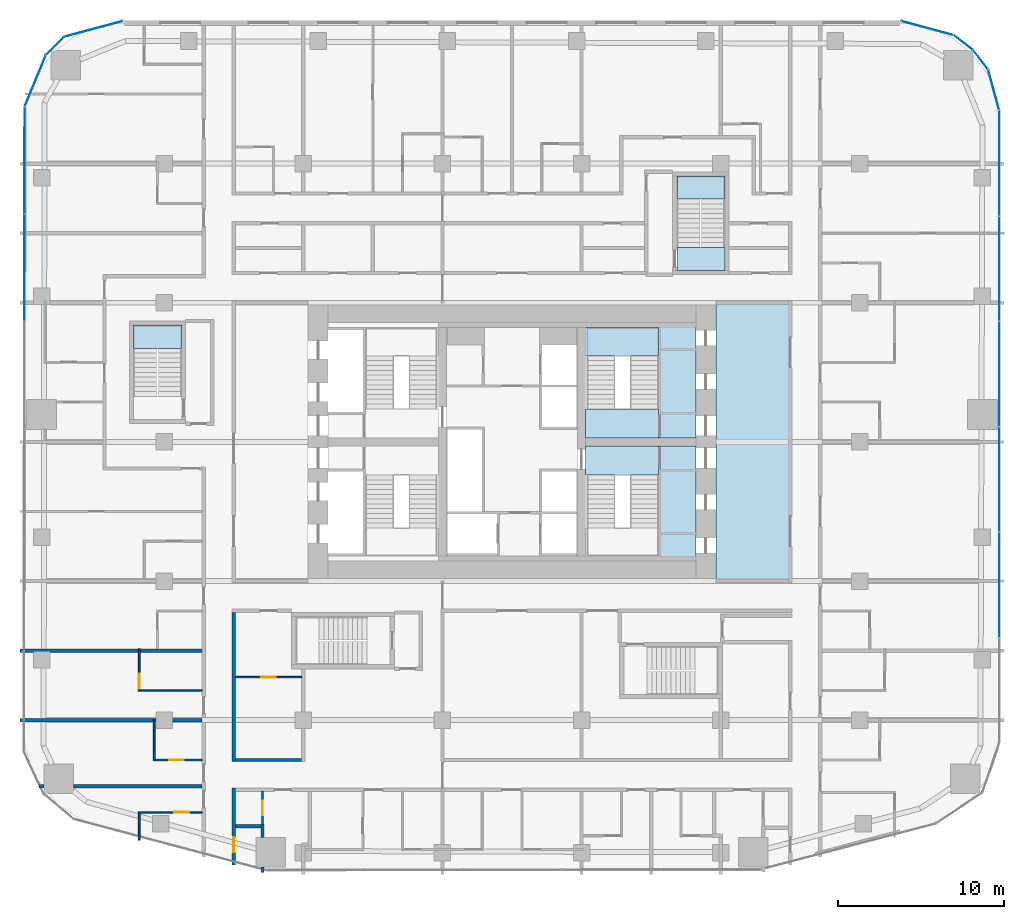
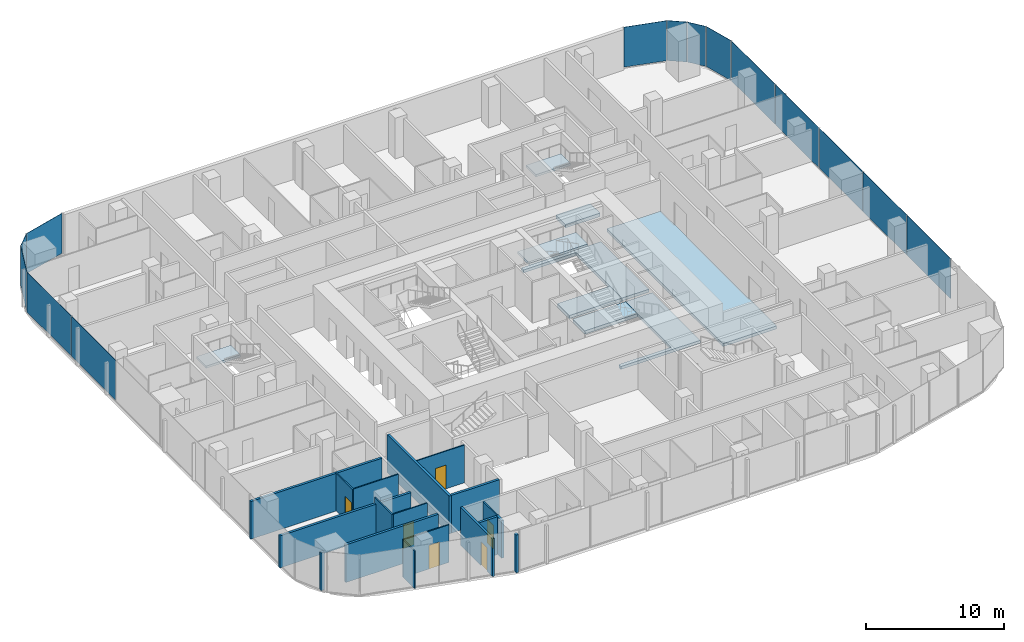
# One storey, part 15 of 26: 18 walls, 14 plates, 9 slabs, 6 doors, 6 openings, 12 elements without a shape of their own.
"""IFC4 building model written with IfcOpenShell, lengths in metres."""

from ifc_helpers import new_model, si_unit, direction, frame, frame_2d, origin, origin_2d, place, context, subcontext, project, spatial, polyline, rectangle, outline, extrude, material, layer, layer_set, type_object, element, fill, aggregate, save


model = new_model("IFC4")

# Units and contexts
model_context = context("Model", 3, precision=1e-05, world=origin(), true_north=direction((0.0, 1.0)))
body_context = subcontext(model_context, "Body", "Model", "MODEL_VIEW")
ifc_project = project(units=[si_unit("LENGTHUNIT", "METRE"), si_unit("AREAUNIT", "SQUARE_METRE"), si_unit("VOLUMEUNIT", "CUBIC_METRE"), si_unit("PLANEANGLEUNIT", "RADIAN"), si_unit("MASSUNIT", "GRAM", prefix="KILO")], contexts=[model_context])

# Site, building, storey
site_placement = place(None, origin())
site = spatial("IfcSite", under=ifc_project, at=site_placement, CompositionType="ELEMENT")
building_placement = place(site_placement, origin())
building = spatial("IfcBuilding", under=site, at=building_placement, Name="Marenta Gate Hotel Tower", CompositionType="ELEMENT")
storey_placement = place(building_placement, frame((0.0, 0.0, 72.5)))
storey = spatial("IfcBuildingStorey", under=building, at=storey_placement, Name="L16", CompositionType="ELEMENT", Elevation=72.5)

# Slabs
ifc_material_1 = material(Name="Concrete C40", Category="concrete")
ifc_layer_1 = layer(ifc_material_1, 0.260009765625)
ifc_layer_set_1 = layer_set([ifc_layer_1], Name="Concrete C40")
slab_type_1 = type_object("IfcSlabType", Name="Core floor slab 260", PredefinedType="FLOOR", material=ifc_layer_set_1)
slab_1_placement = place(storey_placement, frame((0.0, 0.0, -0.260009765625)))
element("IfcSlab", 1, at=slab_1_placement, inside=storey, type_object=slab_type_1, Name="L16-CF-1", PredefinedType="FLOOR", context=body_context, shape_type="SweptSolid", body=[
    extrude(outline(polyline([(12.300048828125, 0.0), (12.300048828125, 16.800048828125), (16.800048828125, 16.800048828125), (16.800048828125, 0.0), (12.300048828125, 0.0)])), origin(), (0.0, 0.0, 1.0), 0.260009765625),
])
slab_2_placement = place(storey_placement, frame((0.0, 0.0, -0.260009765625)))
element("IfcSlab", 2, at=slab_2_placement, inside=storey, type_object=slab_type_1, Name="L16-CF-2", PredefinedType="FLOOR", context=body_context, shape_type="SweptSolid", body=[
    extrude(outline(polyline([(8.85009765625, 1.5), (8.85009765625, 6.39990234375), (8.85009765625, 8.10009765625), (8.85009765625, 8.14990234375), (11.10009765625, 8.14990234375), (11.10009765625, 1.199951171875), (4.449951171875, 1.199951171875), (4.449951171875, 1.5), (8.85009765625, 1.5)])), origin(), (0.0, 0.0, 1.0), 0.260009765625),
])
slab_3_placement = place(storey_placement, frame((0.0, 0.0, -0.260009765625)))
element("IfcSlab", 3, at=slab_3_placement, inside=storey, type_object=slab_type_1, Name="L16-CF-3", PredefinedType="FLOOR", context=body_context, shape_type="SweptSolid", body=[
    extrude(outline(polyline([(8.85009765625, 15.300048828125), (4.449951171875, 15.300048828125), (4.449951171875, 15.60009765625), (11.10009765625, 15.60009765625), (11.10009765625, 8.64990234375), (8.85009765625, 8.64990234375), (8.85009765625, 8.699951171875), (8.85009765625, 10.39990234375), (8.85009765625, 15.300048828125)])), origin(), (0.0, 0.0, 1.0), 0.260009765625),
])

# Stair, slab
ifc_material_2 = material(Name="Concrete C40", Category="concrete")
stair_type_1 = type_object("IfcStairType", Name="Core exit stair 1700 wide", PredefinedType="HALF_TURN_STAIR", material=ifc_material_2)
stair_1_placement = place(storey_placement, origin())
stair_1 = element("IfcStair", 4, at=stair_1_placement, inside=storey, type_object=stair_type_1, Name="Exit stair 4", PredefinedType="HALF_TURN_STAIR")
ifc_material_3 = material(Name="Concrete C40", Category="concrete")
ifc_layer_2 = layer(ifc_material_3, 0.199951171875)
ifc_layer_set_2 = layer_set([ifc_layer_2], Name="Concrete C40")
slab_type_2 = type_object("IfcSlabType", Name="Core stair landing 200", PredefinedType="LANDING", material=ifc_layer_set_2)
slab_4_placement = place(storey_placement, frame((0.0, 0.0, 1.60009765625)))
slab_4 = element("IfcSlab", 5, at=slab_4_placement, type_object=slab_type_2, Name="SL-200 ST4 landing 1", PredefinedType="LANDING", context=body_context, shape_type="SweptSolid", body=[
    extrude(outline(polyline([(3.949951171875, 13.590087890625), (8.85009765625, 13.590087890625), (8.85009765625, 15.300048828125), (3.949951171875, 15.300048828125), (3.949951171875, 13.590087890625)])), origin(), (0.0, 0.0, 1.0), 0.199951171875),
])
aggregate(stair_1, [slab_4])

# Curtain wall, plate
ifc_material_4 = material(Name="Tinted insulated glass in bronze anodised frame", Category="glass")
ifc_layer_3 = layer(ifc_material_4, 0.1201171875)
ifc_layer_set_3 = layer_set([ifc_layer_3], Name="Tinted insulated glass in bronze anodised frame")
curtain_wall_type = type_object("IfcCurtainWallType", Name="Tower unitised curtain wall CW1", PredefinedType="NOTDEFINED", material=ifc_layer_set_3)
curtain_wall_1_placement = place(storey_placement, origin())
curtain_wall_1 = element("IfcCurtainWall", 6, at=curtain_wall_1_placement, inside=storey, type_object=curtain_wall_type, Name="CW1 run G00", PredefinedType="NOTDEFINED")
ifc_material_5 = material(Name="Tinted insulated glass", Category="glass")
ifc_layer_4 = layer(ifc_material_5, 0.028076171875)
ifc_layer_set_4 = layer_set([ifc_layer_4], Name="Tinted insulated glass")
plate_type = type_object("IfcPlateType", Name="Glass panel CW1 28 mm tinted insulated unit", PredefinedType="CURTAIN_PANEL", material=ifc_layer_set_4)
plate_1_placement = place(storey_placement, frame((-25.277099609375, 33.3232421875, 0.06005859375), z_axis=(0.0, 0.0, 1.0), x_axis=(-0.965930485164, -0.258801657317, 0.0)))
plate_1 = element("IfcPlate", 7, at=plate_1_placement, type_object=plate_type, Name="CW1 panel 1.1", PredefinedType="CURTAIN_PANEL", context=body_context, shape_type="SweptSolid", body=[
    extrude(rectangle(XDim=3.64990234375, YDim=0.028076171875, at=origin_2d()), origin(), (0.0, 0.0, 1.0), 3.5400390625),
])
aggregate(curtain_wall_1, [plate_1])

curtain_wall_2_placement = place(storey_placement, origin())
curtain_wall_2 = element("IfcCurtainWall", 8, at=curtain_wall_2_placement, inside=storey, type_object=curtain_wall_type, Name="CW1 run G01", PredefinedType="NOTDEFINED")
plate_2_placement = place(storey_placement, frame((-27.606689453125, 32.2841796875, 0.06005859375), z_axis=(0.0, 0.0, 1.0), x_axis=(-0.707106781187, -0.707106781187, 0.0)))
plate_2 = element("IfcPlate", 9, at=plate_2_placement, type_object=plate_type, Name="CW1 panel 1.1", PredefinedType="CURTAIN_PANEL", context=body_context, shape_type="SweptSolid", body=[
    extrude(rectangle(XDim=1.48291015625, YDim=0.028076171875, at=origin_2d()), origin(), (0.0, 0.0, 1.0), 3.5400390625),
])
aggregate(curtain_wall_2, [plate_2])

curtain_wall_3_placement = place(storey_placement, origin())
curtain_wall_3 = element("IfcCurtainWall", 10, at=curtain_wall_3_placement, inside=storey, type_object=curtain_wall_type, Name="CW1 run G02", PredefinedType="NOTDEFINED")
plate_3_placement = place(storey_placement, frame((-28.783203125, 30.185302734375, 0.06005859375), z_axis=(0.0, 0.0, 1.0), x_axis=(-0.382670050581, -0.923885075314, 0.0)))
plate_3 = element("IfcPlate", 11, at=plate_3_placement, type_object=plate_type, Name="CW1 panel 1.1", PredefinedType="CURTAIN_PANEL", context=body_context, shape_type="SweptSolid", body=[
    extrude(rectangle(XDim=3.28857421875, YDim=0.028076171875, at=origin_2d()), origin(), (0.0, 0.0, 1.0), 3.5400390625),
])
aggregate(curtain_wall_3, [plate_3])

# Curtain wall, plates
curtain_wall_4_placement = place(storey_placement, origin())
curtain_wall_4 = element("IfcCurtainWall", 12, at=curtain_wall_4_placement, inside=storey, type_object=curtain_wall_type, Name="CW1 run G03", PredefinedType="NOTDEFINED")
plate_4_placement = place(storey_placement, frame((-29.41748046875, 25.406005859375, 0.06005859375), z_axis=(0.0, 0.0, 1.0), x_axis=(-0.00156642217, -0.99999877316, 0.0)))
plate_4 = element("IfcPlate", 13, at=plate_4_placement, type_object=plate_type, Name="CW1 panel 1.1", PredefinedType="CURTAIN_PANEL", context=body_context, shape_type="SweptSolid", body=[
    extrude(rectangle(XDim=6.400390625, YDim=0.028076171875, at=origin_2d()), origin(), (0.0, 0.0, 1.0), 3.5400390625),
])
plate_5_placement = place(storey_placement, frame((-29.427490234375, 18.9306640625, 0.06005859375), z_axis=(0.0, 0.0, 1.0), x_axis=(-0.00156642217, -0.99999877316, 0.0)))
plate_5 = element("IfcPlate", 14, at=plate_5_placement, type_object=plate_type, Name="CW1 panel 2.1", PredefinedType="CURTAIN_PANEL", context=body_context, shape_type="SweptSolid", body=[
    extrude(rectangle(XDim=6.430419921875, YDim=0.028076171875, at=origin_2d()), origin(), (0.0, 0.0, 1.0), 3.5400390625),
])
aggregate(curtain_wall_4, [plate_4, plate_5])

curtain_wall_5_placement = place(storey_placement, origin())
curtain_wall_5 = element("IfcCurtainWall", 15, at=curtain_wall_5_placement, inside=storey, type_object=curtain_wall_type, Name="CW1 run G11", PredefinedType="NOTDEFINED")
plate_6_placement = place(storey_placement, frame((29.4140625, -0.22802734375, 0.06005859375), z_axis=(0.0, 0.0, 1.0), x_axis=(0.0, 1.0, 0.0)))
plate_6 = element("IfcPlate", 16, at=plate_6_placement, type_object=plate_type, Name="CW1 panel 2.1", PredefinedType="CURTAIN_PANEL", context=body_context, shape_type="SweptSolid", body=[
    extrude(rectangle(XDim=6.300048828125, YDim=0.028076171875, at=origin_2d()), origin(), (0.0, 0.0, 1.0), 3.5400390625),
])
plate_7_placement = place(storey_placement, frame((29.4140625, 6.132080078125, 0.06005859375), z_axis=(0.0, 0.0, 1.0), x_axis=(0.0, 1.0, 0.0)))
plate_7 = element("IfcPlate", 17, at=plate_7_placement, type_object=plate_type, Name="CW1 panel 3.1", PredefinedType="CURTAIN_PANEL", context=body_context, shape_type="SweptSolid", body=[
    extrude(rectangle(XDim=6.300048828125, YDim=0.028076171875, at=origin_2d()), origin(), (0.0, 0.0, 1.0), 3.5400390625),
])
plate_8_placement = place(storey_placement, frame((29.4140625, 12.491943359375, 0.06005859375), z_axis=(0.0, 0.0, 1.0), x_axis=(0.0, 1.0, 0.0)))
plate_8 = element("IfcPlate", 18, at=plate_8_placement, type_object=plate_type, Name="CW1 panel 4.1", PredefinedType="CURTAIN_PANEL", context=body_context, shape_type="SweptSolid", body=[
    extrude(rectangle(XDim=6.300048828125, YDim=0.028076171875, at=origin_2d()), origin(), (0.0, 0.0, 1.0), 3.5400390625),
])
plate_9_placement = place(storey_placement, frame((29.4140625, 18.851806640625, 0.06005859375), z_axis=(0.0, 0.0, 1.0), x_axis=(0.0, 1.0, 0.0)))
plate_9 = element("IfcPlate", 19, at=plate_9_placement, type_object=plate_type, Name="CW1 panel 5.1", PredefinedType="CURTAIN_PANEL", context=body_context, shape_type="SweptSolid", body=[
    extrude(rectangle(XDim=6.300048828125, YDim=0.028076171875, at=origin_2d()), origin(), (0.0, 0.0, 1.0), 3.5400390625),
])
plate_10_placement = place(storey_placement, frame((29.4140625, 25.226806640625, 0.06005859375), z_axis=(0.0, 0.0, 1.0), x_axis=(0.0, 1.0, 0.0)))
plate_10 = element("IfcPlate", 20, at=plate_10_placement, type_object=plate_type, Name="CW1 panel 6.1", PredefinedType="CURTAIN_PANEL", context=body_context, shape_type="SweptSolid", body=[
    extrude(rectangle(XDim=6.330078125, YDim=0.028076171875, at=origin_2d()), origin(), (0.0, 0.0, 1.0), 3.5400390625),
])
aggregate(curtain_wall_5, [plate_6, plate_7, plate_8, plate_9, plate_10])

# Curtain wall, plate
curtain_wall_6_placement = place(storey_placement, origin())
curtain_wall_6 = element("IfcCurtainWall", 21, at=curtain_wall_6_placement, inside=storey, type_object=curtain_wall_type, Name="CW1 run G12", PredefinedType="NOTDEFINED")
plate_11_placement = place(storey_placement, frame((29.074951171875, 29.657470703125, 0.06005859375), z_axis=(0.0, 0.0, 1.0), x_axis=(-0.258821981125, 0.965925039579, 0.0)))
plate_11 = element("IfcPlate", 22, at=plate_11_placement, type_object=plate_type, Name="CW1 panel 1.1", PredefinedType="CURTAIN_PANEL", context=body_context, shape_type="SweptSolid", body=[
    extrude(rectangle(XDim=2.50048828125, YDim=0.028076171875, at=origin_2d()), origin(), (0.0, 0.0, 1.0), 3.5400390625),
])
aggregate(curtain_wall_6, [plate_11])

curtain_wall_7_placement = place(storey_placement, origin())
curtain_wall_7 = element("IfcCurtainWall", 23, at=curtain_wall_7_placement, inside=storey, type_object=curtain_wall_type, Name="CW1 run G13", PredefinedType="NOTDEFINED")
plate_12_placement = place(storey_placement, frame((28.280029296875, 31.47900390625, 0.06005859375), z_axis=(0.0, 0.0, 1.0), x_axis=(-0.608781405318, 0.79333801153, 0.0)))
plate_12 = element("IfcPlate", 24, at=plate_12_placement, type_object=plate_type, Name="CW1 panel 1.1", PredefinedType="CURTAIN_PANEL", context=body_context, shape_type="SweptSolid", body=[
    extrude(rectangle(XDim=1.427978515625, YDim=0.028076171875, at=origin_2d()), origin(), (0.0, 0.0, 1.0), 3.5400390625),
])
aggregate(curtain_wall_7, [plate_12])

curtain_wall_8_placement = place(storey_placement, origin())
curtain_wall_8 = element("IfcCurtainWall", 25, at=curtain_wall_8_placement, inside=storey, type_object=curtain_wall_type, Name="CW1 run G14", PredefinedType="NOTDEFINED")
plate_13_placement = place(storey_placement, frame((27.2314453125, 32.5166015625, 0.06005859375), z_axis=(0.0, 0.0, 1.0), x_axis=(-0.79333801153, 0.608781405318, 0.0)))
plate_13 = element("IfcPlate", 26, at=plate_13_placement, type_object=plate_type, Name="CW1 panel 1.1", PredefinedType="CURTAIN_PANEL", context=body_context, shape_type="SweptSolid", body=[
    extrude(rectangle(XDim=1.427978515625, YDim=0.028076171875, at=origin_2d()), origin(), (0.0, 0.0, 1.0), 3.5400390625),
])
aggregate(curtain_wall_8, [plate_13])

curtain_wall_9_placement = place(storey_placement, origin())
curtain_wall_9 = element("IfcCurtainWall", 27, at=curtain_wall_9_placement, inside=storey, type_object=curtain_wall_type, Name="CW1 run G15", PredefinedType="NOTDEFINED")
plate_14_placement = place(storey_placement, frame((25.060791015625, 33.381103515625, 0.06005859375), z_axis=(0.0, 0.0, 1.0), x_axis=(-0.965928970532, 0.258807310344, 0.0)))
plate_14 = element("IfcPlate", 28, at=plate_14_placement, type_object=plate_type, Name="CW1 panel 1.1", PredefinedType="CURTAIN_PANEL", context=body_context, shape_type="SweptSolid", body=[
    extrude(rectangle(XDim=3.20166015625, YDim=0.028076171875, at=origin_2d()), origin(), (0.0, 0.0, 1.0), 3.5400390625),
])
aggregate(curtain_wall_9, [plate_14])

# Stair, slab
ifc_material_6 = material(Name="Concrete C40", Category="concrete")
stair_type_2 = type_object("IfcStairType", Name="Remote exit stair 1400 wide", PredefinedType="HALF_TURN_STAIR", material=ifc_material_6)
stair_2_placement = place(storey_placement, origin())
stair_2 = element("IfcStair", 29, at=stair_2_placement, inside=storey, type_object=stair_type_2, Name="Exit stair RS-Z1-3", PredefinedType="HALF_TURN_STAIR")
ifc_material_7 = material(Name="Concrete C40", Category="concrete")
ifc_layer_5 = layer(ifc_material_7, 0.199951171875)
ifc_layer_set_5 = layer_set([ifc_layer_5], Name="Concrete C40")
slab_type_3 = type_object("IfcSlabType", Name="Remote stair landing 200", PredefinedType="LANDING", material=ifc_layer_set_5)
slab_5_placement = place(storey_placement, frame((0.0, 0.0, 1.60009765625)))
slab_5 = element("IfcSlab", 30, at=slab_5_placement, type_object=slab_type_3, Name="RL-200 RS-Z1-3 landing 1", PredefinedType="LANDING", context=body_context, shape_type="SweptSolid", body=[
    extrude(outline(polyline([(-22.85009765625, 14.050048828125), (-19.949951171875, 14.050048828125), (-19.949951171875, 15.449951171875), (-22.85009765625, 15.449951171875), (-22.85009765625, 14.050048828125)])), origin(), (0.0, 0.0, 1.0), 0.199951171875),
])
aggregate(stair_2, [slab_5])

stair_3_placement = place(storey_placement, origin())
stair_3 = element("IfcStair", 31, at=stair_3_placement, inside=storey, type_object=stair_type_2, Name="Exit stair RS-Z1-4", PredefinedType="HALF_TURN_STAIR")
slab_6_placement = place(storey_placement, frame((0.0, 0.0, 1.60009765625)))
slab_6 = element("IfcSlab", 32, at=slab_6_placement, type_object=slab_type_3, Name="RL-200 RS-Z1-4 landing 1", PredefinedType="LANDING", context=body_context, shape_type="SweptSolid", body=[
    extrude(outline(polyline([(9.949951171875, 23.050048828125), (12.85009765625, 23.050048828125), (12.85009765625, 24.449951171875), (9.949951171875, 24.449951171875), (9.949951171875, 23.050048828125)])), origin(), (0.0, 0.0, 1.0), 0.199951171875),
])
aggregate(stair_3, [slab_6])

# Slabs
ifc_material_8 = material(Name="Concrete C40", Category="concrete")
ifc_layer_6 = layer(ifc_material_8, 0.300048828125)
ifc_layer_set_6 = layer_set([ifc_layer_6], Name="Concrete C40")
slab_type_4 = type_object("IfcSlabType", Name="Stair floor landing slab 300", PredefinedType="FLOOR", material=ifc_layer_set_6)
slab_7_placement = place(storey_placement, frame((0.0, 0.0, -0.300048828125)))
element("IfcSlab", 33, at=slab_7_placement, inside=storey, type_object=slab_type_4, Name="L16-CL-ST3-1", PredefinedType="FLOOR", context=body_context, shape_type="SweptSolid", body=[
    extrude(outline(polyline([(4.449951171875, 6.39990234375), (4.449951171875, 8.14990234375), (8.85009765625, 8.14990234375), (8.85009765625, 8.10009765625), (8.85009765625, 6.39990234375), (4.449951171875, 6.39990234375)])), origin(), (0.0, 0.0, 1.0), 0.300048828125),
])
slab_8_placement = place(storey_placement, frame((0.0, 0.0, -0.300048828125)))
element("IfcSlab", 34, at=slab_8_placement, inside=storey, type_object=slab_type_4, Name="L16-CL-ST4-1", PredefinedType="FLOOR", context=body_context, shape_type="SweptSolid", body=[
    extrude(outline(polyline([(4.449951171875, 8.64990234375), (4.449951171875, 10.39990234375), (8.85009765625, 10.39990234375), (8.85009765625, 8.699951171875), (8.85009765625, 8.64990234375), (4.449951171875, 8.64990234375)])), origin(), (0.0, 0.0, 1.0), 0.300048828125),
])
slab_9_placement = place(storey_placement, frame((0.0, 0.0, -0.300048828125)))
element("IfcSlab", 35, at=slab_9_placement, inside=storey, type_object=slab_type_4, Name="L16-RS-Z1-4-CL", PredefinedType="FLOOR", context=body_context, shape_type="SweptSolid", body=[
    extrude(outline(polyline([(12.85009765625, 18.75), (12.85009765625, 20.14990234375), (9.949951171875, 20.14990234375), (9.949951171875, 18.75), (12.85009765625, 18.75)])), origin(), (0.0, 0.0, 1.0), 0.300048828125),
])

# Wall, opening, door
ifc_material_9 = material(Name="Concrete blockwork", Category="masonry")
ifc_layer_7 = layer(ifc_material_9, 0.199951171875)
ifc_layer_set_7 = layer_set([ifc_layer_7], Name="Concrete blockwork")
wall_type_1 = type_object("IfcWallType", Name="Room corridor wall 200 EI 120", PredefinedType="PARTITIONING", material=ifc_layer_set_7)
wall_1_placement = place(storey_placement, frame((-16.800048828125, -17.14306640625, 0.0), z_axis=(0.0, 0.0, 1.0), x_axis=(0.0, 1.0, 0.0)))
wall_1 = element("IfcWall", 36, at=wall_1_placement, inside=storey, type_object=wall_type_1, Name="L16-PTN-W103", PredefinedType="PARTITIONING", context=body_context, shape_type="SweptSolid", body=[
    extrude(rectangle(XDim=4.64306640625, YDim=0.199951171875, at=frame_2d((2.321533203125, 0.0))), origin(), (0.0, 0.0, 1.0), 3.340087890625),
])
opening_1_placement = place(wall_1_placement, frame((0.77197265625, 0.0, 0.0)))
opening_1 = element("IfcOpeningElement", 37, at=opening_1_placement, cuts=wall_1, Name="Opening G06-78", PredefinedType="OPENING", context=body_context, shape_type="SweptSolid", body=[
    extrude(rectangle(XDim=0.89990234375, YDim=2.10009765625, at=frame_2d((0.449951171875, 1.050048828125))), frame((0.0, 0.10009765625, 0.0), z_axis=(0.0, -1.0, 0.0), x_axis=(1.0, 0.0, 0.0)), (0.0, 0.0, 1.0), 0.199951171875),
])
ifc_material_10 = material(Name="Hollow steel door set", Category="steel")
door_type_1 = type_object("IfcDoorType", Name="Room service door 900x2100 EI 60", OperationType="NOTDEFINED", PredefinedType="DOOR", material=ifc_material_10)
door_1_placement = place(opening_1_placement, origin())
door_1 = element("IfcDoor", 38, at=door_1_placement, inside=storey, type_object=door_type_1, Name="L16-PD-D078", OperationType="SINGLE_SWING_LEFT", OverallHeight=2.10009765625, OverallWidth=0.89990234375, PredefinedType="DOOR", context=body_context, shape_type="SweptSolid", body=[
    extrude(rectangle(XDim=0.89990234375, YDim=2.10009765625, at=frame_2d((0.449951171875, 1.050048828125))), frame((0.0, 0.02490234375, 0.0), z_axis=(0.0, -1.0, 0.0), x_axis=(1.0, 0.0, 0.0)), (0.0, 0.0, 1.0), 0.050048828125),
])
fill(opening_1, door_1)

# Walls
ifc_material_11 = material(Name="Gypsum board on steel stud", Category="steel")
ifc_layer_8 = layer(ifc_material_11, 0.199951171875)
ifc_layer_set_8 = layer_set([ifc_layer_8], Name="Gypsum board on steel stud")
wall_type_2 = type_object("IfcWallType", Name="Room corridor wall 200 EI 60", PredefinedType="PARTITIONING", material=ifc_layer_set_8)
wall_2_placement = place(storey_placement, frame((-16.699951171875, -10.800048828125, 0.0), z_axis=(0.0, 0.0, 1.0), x_axis=(1.0, 0.0, 0.0)))
element("IfcWall", 39, at=wall_2_placement, inside=storey, type_object=wall_type_2, Name="L16-PTN-W038", PredefinedType="PARTITIONING", context=body_context, shape_type="SweptSolid", body=[
    extrude(rectangle(XDim=4.0, YDim=0.199951171875, at=frame_2d((2.0, 0.0))), origin(), (0.0, 0.0, 1.0), 3.340087890625),
])
wall_3_placement = place(storey_placement, frame((-16.800048828125, -10.89990234375, 0.0), z_axis=(0.0, 0.0, 1.0), x_axis=(0.0, 1.0, 0.0)))
element("IfcWall", 40, at=wall_3_placement, inside=storey, type_object=wall_type_2, Name="L16-PTN-W104", PredefinedType="PARTITIONING", context=body_context, shape_type="SweptSolid", body=[
    extrude(rectangle(XDim=9.0, YDim=0.199951171875, at=frame_2d((4.5, 0.0))), origin(), (0.0, 0.0, 1.0), 3.340087890625),
])

# Wall, opening, door
ifc_material_12 = material(Name="Gypsum board on steel stud", Category="steel")
ifc_layer_9 = layer(ifc_material_12, 0.10009765625)
ifc_layer_set_9 = layer_set([ifc_layer_9], Name="Gypsum board on steel stud")
wall_type_3 = type_object("IfcWallType", Name="Room partition 100", PredefinedType="PARTITIONING", material=ifc_layer_set_9)
wall_4_placement = place(storey_placement, frame((-22.550048828125, -13.965087890625, 0.0), z_axis=(0.0, 0.0, 1.0), x_axis=(1.0, 0.0, 0.0)))
wall_4 = element("IfcWall", 41, at=wall_4_placement, inside=storey, type_object=wall_type_3, Name="L16-PTN-W027", PredefinedType="PARTITIONING", context=body_context, shape_type="SweptSolid", body=[
    extrude(rectangle(XDim=3.85009765625, YDim=0.10009765625, at=frame_2d((1.925048828125, 0.0))), origin(), (0.0, 0.0, 1.0), 3.340087890625),
])
opening_2_placement = place(wall_4_placement, frame((2.155029296875, 0.0, 0.0)))
opening_2 = element("IfcOpeningElement", 42, at=opening_2_placement, cuts=wall_4, Name="Opening G06-43", PredefinedType="OPENING", context=body_context, shape_type="SweptSolid", body=[
    extrude(rectangle(XDim=0.89990234375, YDim=2.10009765625, at=frame_2d((0.449951171875, 1.050048828125))), frame((0.0, 0.050048828125, 0.0), z_axis=(0.0, -1.0, 0.0), x_axis=(1.0, 0.0, 0.0)), (0.0, 0.0, 1.0), 0.10009765625),
])
ifc_material_13 = material(Name="Timber door leaf", Category="wood")
door_type_2 = type_object("IfcDoorType", Name="Guest bathroom door 900x2100", OperationType="NOTDEFINED", PredefinedType="DOOR", material=ifc_material_13)
door_2_placement = place(opening_2_placement, origin())
door_2 = element("IfcDoor", 43, at=door_2_placement, inside=storey, type_object=door_type_2, Name="L16-PD-D043", OperationType="SINGLE_SWING_RIGHT", OverallHeight=2.10009765625, OverallWidth=0.89990234375, PredefinedType="DOOR", context=body_context, shape_type="SweptSolid", body=[
    extrude(rectangle(XDim=0.89990234375, YDim=2.10009765625, at=frame_2d((0.449951171875, 1.050048828125))), frame((0.0, 0.02490234375, 0.0), z_axis=(0.0, -1.0, 0.0), x_axis=(1.0, 0.0, 0.0)), (0.0, 0.0, 1.0), 0.050048828125),
])
fill(opening_2, door_2)

wall_5_placement = place(storey_placement, frame((-21.550048828125, -10.800048828125, 0.0), z_axis=(0.0, 0.0, 1.0), x_axis=(1.0, 0.0, 0.0)))
wall_5 = element("IfcWall", 44, at=wall_5_placement, inside=storey, type_object=wall_type_3, Name="L16-PTN-W036", PredefinedType="PARTITIONING", context=body_context, shape_type="SweptSolid", body=[
    extrude(rectangle(XDim=2.85009765625, YDim=0.10009765625, at=frame_2d((1.425048828125, 0.0))), origin(), (0.0, 0.0, 1.0), 3.340087890625),
])
opening_3_placement = place(wall_5_placement, frame((0.85009765625, 0.0, 0.0)))
opening_3 = element("IfcOpeningElement", 45, at=opening_3_placement, cuts=wall_5, Name="Opening G06-45", PredefinedType="OPENING", context=body_context, shape_type="SweptSolid", body=[
    extrude(rectangle(XDim=0.89990234375, YDim=2.10009765625, at=frame_2d((0.449951171875, 1.050048828125))), frame((0.0, 0.050048828125, 0.0), z_axis=(0.0, -1.0, 0.0), x_axis=(1.0, 0.0, 0.0)), (0.0, 0.0, 1.0), 0.10009765625),
])
door_3_placement = place(opening_3_placement, origin())
door_3 = element("IfcDoor", 46, at=door_3_placement, inside=storey, type_object=door_type_2, Name="L16-PD-D045", OperationType="SINGLE_SWING_LEFT", OverallHeight=2.10009765625, OverallWidth=0.89990234375, PredefinedType="DOOR", context=body_context, shape_type="SweptSolid", body=[
    extrude(rectangle(XDim=0.89990234375, YDim=2.10009765625, at=frame_2d((0.449951171875, 1.050048828125))), frame((0.0, 0.02490234375, 0.0), z_axis=(0.0, -1.0, 0.0), x_axis=(1.0, 0.0, 0.0)), (0.0, 0.0, 1.0), 0.050048828125),
])
fill(opening_3, door_3)

# Wall
wall_6_placement = place(storey_placement, frame((-22.449951171875, -6.60009765625, 0.0), z_axis=(0.0, 0.0, 1.0), x_axis=(1.0, 0.0, 0.0)))
element("IfcWall", 47, at=wall_6_placement, inside=storey, type_object=wall_type_3, Name="L16-PTN-W048", PredefinedType="PARTITIONING", context=body_context, shape_type="SweptSolid", body=[
    extrude(rectangle(XDim=3.75, YDim=0.10009765625, at=frame_2d((1.875, 0.0))), origin(), (0.0, 0.0, 1.0), 3.340087890625),
])

# Wall, opening, door
wall_7_placement = place(storey_placement, frame((-16.699951171875, -5.800048828125, 0.0), z_axis=(0.0, 0.0, 1.0), x_axis=(1.0, 0.0, 0.0)))
wall_7 = element("IfcWall", 48, at=wall_7_placement, inside=storey, type_object=wall_type_3, Name="L16-PTN-W051", PredefinedType="PARTITIONING", context=body_context, shape_type="SweptSolid", body=[
    extrude(rectangle(XDim=4.0, YDim=0.10009765625, at=frame_2d((2.0, 0.0))), origin(), (0.0, 0.0, 1.0), 3.340087890625),
])
opening_4_placement = place(wall_7_placement, frame((1.550048828125, 0.0, 0.0)))
opening_4 = element("IfcOpeningElement", 49, at=opening_4_placement, cuts=wall_7, Name="Opening G06-03", PredefinedType="OPENING", context=body_context, shape_type="SweptSolid", body=[
    extrude(rectangle(XDim=0.89990234375, YDim=2.10009765625, at=frame_2d((0.449951171875, 1.050048828125))), frame((0.0, 0.050048828125, 0.0), z_axis=(0.0, -1.0, 0.0), x_axis=(1.0, 0.0, 0.0)), (0.0, 0.0, 1.0), 0.10009765625),
])
ifc_material_14 = material(Name="Timber door leaf", Category="wood")
door_type_3 = type_object("IfcDoorType", Name="Room inner door 900x2100", OperationType="NOTDEFINED", PredefinedType="DOOR", material=ifc_material_14)
door_4_placement = place(opening_4_placement, origin())
door_4 = element("IfcDoor", 50, at=door_4_placement, inside=storey, type_object=door_type_3, Name="L16-PD-D003", OperationType="SINGLE_SWING_LEFT", OverallHeight=2.10009765625, OverallWidth=0.89990234375, PredefinedType="DOOR", context=body_context, shape_type="SweptSolid", body=[
    extrude(rectangle(XDim=0.89990234375, YDim=2.10009765625, at=frame_2d((0.449951171875, 1.050048828125))), frame((0.0, 0.02490234375, 0.0), z_axis=(0.0, -1.0, 0.0), x_axis=(1.0, 0.0, 0.0)), (0.0, 0.0, 1.0), 0.050048828125),
])
fill(opening_4, door_4)

wall_8_placement = place(storey_placement, frame((-15.06591796875, -14.89990234375, 0.0), z_axis=(0.0, 0.0, 1.0), x_axis=(0.0, 1.0, 0.0)))
wall_8 = element("IfcWall", 51, at=wall_8_placement, inside=storey, type_object=wall_type_3, Name="L16-PTN-W101", PredefinedType="PARTITIONING", context=body_context, shape_type="SweptSolid", body=[
    extrude(rectangle(XDim=2.199951171875, YDim=0.10009765625, at=frame_2d((1.10009765625, 0.0))), origin(), (0.0, 0.0, 1.0), 3.340087890625),
])
opening_5_placement = place(wall_8_placement, frame((0.75, 0.0, 0.0)))
opening_5 = element("IfcOpeningElement", 52, at=opening_5_placement, cuts=wall_8, Name="Opening G06-77", PredefinedType="OPENING", context=body_context, shape_type="SweptSolid", body=[
    extrude(rectangle(XDim=0.89990234375, YDim=2.10009765625, at=frame_2d((0.449951171875, 1.050048828125))), frame((0.0, 0.050048828125, 0.0), z_axis=(0.0, -1.0, 0.0), x_axis=(1.0, 0.0, 0.0)), (0.0, 0.0, 1.0), 0.10009765625),
])
door_5_placement = place(opening_5_placement, origin())
door_5 = element("IfcDoor", 53, at=door_5_placement, inside=storey, type_object=door_type_2, Name="L16-PD-D077", OperationType="SINGLE_SWING_RIGHT", OverallHeight=2.10009765625, OverallWidth=0.89990234375, PredefinedType="DOOR", context=body_context, shape_type="SweptSolid", body=[
    extrude(rectangle(XDim=0.89990234375, YDim=2.10009765625, at=frame_2d((0.449951171875, 1.050048828125))), frame((0.0, 0.02490234375, 0.0), z_axis=(0.0, -1.0, 0.0), x_axis=(1.0, 0.0, 0.0)), (0.0, 0.0, 1.0), 0.050048828125),
])
fill(opening_5, door_5)

# Walls
wall_9_placement = place(storey_placement, frame((-21.60009765625, -10.85009765625, 0.0), z_axis=(0.0, 0.0, 1.0), x_axis=(0.0, 1.0, 0.0)))
element("IfcWall", 54, at=wall_9_placement, inside=storey, type_object=wall_type_3, Name="L16-PTN-W124", PredefinedType="PARTITIONING", context=body_context, shape_type="SweptSolid", body=[
    extrude(rectangle(XDim=2.550048828125, YDim=0.10009765625, at=frame_2d((1.27490234375, 0.0))), origin(), (0.0, 0.0, 1.0), 3.340087890625),
])
wall_10_placement = place(storey_placement, frame((-22.5, -15.631103515625, 0.0), z_axis=(0.0, 0.0, 1.0), x_axis=(0.0, 1.0, 0.0)))
element("IfcWall", 55, at=wall_10_placement, inside=storey, type_object=wall_type_3, Name="L16-PTN-W129", PredefinedType="PARTITIONING", context=body_context, shape_type="SweptSolid", body=[
    extrude(rectangle(XDim=1.6162109375, YDim=0.10009765625, at=frame_2d((0.80810546875, 0.0))), origin(), (0.0, 0.0, 1.0), 3.340087890625),
])

# Wall, opening, door
wall_11_placement = place(storey_placement, frame((-22.5, -6.64990234375, 0.0), z_axis=(0.0, 0.0, 1.0), x_axis=(0.0, 1.0, 0.0)))
wall_11 = element("IfcWall", 56, at=wall_11_placement, inside=storey, type_object=wall_type_3, Name="L16-PTN-W130", PredefinedType="PARTITIONING", context=body_context, shape_type="SweptSolid", body=[
    extrude(rectangle(XDim=2.5498046875, YDim=0.10009765625, at=frame_2d((1.27490234375, 0.0))), origin(), (0.0, 0.0, 1.0), 3.340087890625),
])
opening_6_placement = place(wall_11_placement, frame((0.14990234375, 0.0, 0.0)))
opening_6 = element("IfcOpeningElement", 57, at=opening_6_placement, cuts=wall_11, Name="Opening G06-47", PredefinedType="OPENING", context=body_context, shape_type="SweptSolid", body=[
    extrude(rectangle(XDim=0.89990234375, YDim=2.10009765625, at=frame_2d((0.449951171875, 1.050048828125))), frame((0.0, 0.050048828125, 0.0), z_axis=(0.0, -1.0, 0.0), x_axis=(1.0, 0.0, 0.0)), (0.0, 0.0, 1.0), 0.10009765625),
])
door_6_placement = place(opening_6_placement, origin())
door_6 = element("IfcDoor", 58, at=door_6_placement, inside=storey, type_object=door_type_2, Name="L16-PD-D047", OperationType="SINGLE_SWING_RIGHT", OverallHeight=2.10009765625, OverallWidth=0.89990234375, PredefinedType="DOOR", context=body_context, shape_type="SweptSolid", body=[
    extrude(rectangle(XDim=0.89990234375, YDim=2.10009765625, at=frame_2d((0.449951171875, 1.050048828125))), frame((0.0, 0.02490234375, 0.0), z_axis=(0.0, -1.0, 0.0), x_axis=(1.0, 0.0, 0.0)), (0.0, 0.0, 1.0), 0.050048828125),
])
fill(opening_6, door_6)

# Walls
ifc_material_15 = material(Name="Concrete blockwork", Category="masonry")
ifc_layer_10 = layer(ifc_material_15, 0.199951171875)
ifc_layer_set_10 = layer_set([ifc_layer_10], Name="Concrete blockwork")
wall_type_4 = type_object("IfcWallType", Name="Room party wall 200 EI 120", PredefinedType="PARTITIONING", material=ifc_layer_set_10)
wall_12_placement = place(storey_placement, frame((-16.699951171875, -14.800048828125, 0.0), z_axis=(0.0, 0.0, 1.0), x_axis=(1.0, 0.0, 0.0)))
element("IfcWall", 59, at=wall_12_placement, inside=storey, type_object=wall_type_4, Name="L16-PTN-W025", PredefinedType="PARTITIONING", context=body_context, shape_type="SweptSolid", body=[
    extrude(rectangle(XDim=1.583984375, YDim=0.199951171875, at=frame_2d((0.7919921875, 0.0))), origin(), (0.0, 0.0, 1.0), 3.340087890625),
])
wall_13_placement = place(storey_placement, frame((-15.06591796875, -17.593017578125, 0.0), z_axis=(0.0, 0.0, 1.0), x_axis=(0.0, 1.0, 0.0)))
element("IfcWall", 60, at=wall_13_placement, inside=storey, type_object=wall_type_4, Name="L16-PTN-W100", PredefinedType="PARTITIONING", context=body_context, shape_type="SweptSolid", body=[
    extrude(rectangle(XDim=0.318115234375, YDim=0.199951171875, at=frame_2d((0.1591796875, 0.0))), origin(), (0.0, 0.0, 1.0), 3.340087890625),
])
wall_14_placement = place(storey_placement, frame((-15.06591796875, -15.47509765625, 0.0), z_axis=(0.0, 0.0, 1.0), x_axis=(0.0, 1.0, 0.0)))
element("IfcWall", 61, at=wall_14_placement, inside=storey, type_object=wall_type_4, Name="L16-PTN-W150", PredefinedType="PARTITIONING", context=body_context, shape_type="SweptSolid", body=[
    extrude(rectangle(XDim=0.775146484375, YDim=0.199951171875, at=frame_2d((0.3876953125, 0.0))), origin(), (0.0, 0.0, 1.0), 3.340087890625),
])
ifc_material_16 = material(Name="Gypsum board on steel stud", Category="steel")
ifc_layer_11 = layer(ifc_material_16, 0.199951171875)
ifc_layer_set_11 = layer_set([ifc_layer_11], Name="Gypsum board on steel stud")
wall_type_5 = type_object("IfcWallType", Name="Room party wall 200 EI 60", PredefinedType="PARTITIONING", material=ifc_layer_set_11)
wall_15_placement = place(storey_placement, frame((-28.552978515625, -12.383056640625, 0.0), z_axis=(0.0, 0.0, 1.0), x_axis=(1.0, 0.0, 0.0)))
element("IfcWall", 62, at=wall_15_placement, inside=storey, type_object=wall_type_5, Name="L16-PTN-W034", PredefinedType="PARTITIONING", context=body_context, shape_type="SweptSolid", body=[
    extrude(rectangle(XDim=0.2900390625, YDim=0.199951171875, at=frame_2d((0.14501953125, 0.0))), origin(), (0.0, 0.0, 1.0), 3.340087890625),
])
wall_16_placement = place(storey_placement, frame((-26.462890625, -12.383056640625, 0.0), z_axis=(0.0, 0.0, 1.0), x_axis=(1.0, 0.0, 0.0)))
element("IfcWall", 63, at=wall_16_placement, inside=storey, type_object=wall_type_5, Name="L16-PTN-W149", PredefinedType="PARTITIONING", context=body_context, shape_type="SweptSolid", body=[
    extrude(rectangle(XDim=7.762939453125, YDim=0.199951171875, at=frame_2d((3.88134765625, 0.0))), origin(), (0.0, 0.0, 1.0), 3.340087890625),
])
wall_17_placement = place(storey_placement, frame((-29.699951171875, -8.39990234375, 0.0), z_axis=(0.0, 0.0, 1.0), x_axis=(1.0, 0.0, 0.0)))
element("IfcWall", 64, at=wall_17_placement, inside=storey, type_object=wall_type_5, Name="L16-PTN-W042", PredefinedType="PARTITIONING", context=body_context, shape_type="SweptSolid", body=[
    extrude(rectangle(XDim=11.0, YDim=0.199951171875, at=frame_2d((5.5, 0.0))), origin(), (0.0, 0.0, 1.0), 2.840087890625),
])
wall_18_placement = place(storey_placement, frame((-29.699951171875, -4.199951171875, 0.0), z_axis=(0.0, 0.0, 1.0), x_axis=(1.0, 0.0, 0.0)))
element("IfcWall", 65, at=wall_18_placement, inside=storey, type_object=wall_type_5, Name="L16-PTN-W057", PredefinedType="PARTITIONING", context=body_context, shape_type="SweptSolid", body=[
    extrude(rectangle(XDim=11.0, YDim=0.199951171875, at=frame_2d((5.5, 0.0))), origin(), (0.0, 0.0, 1.0), 3.340087890625),
])

save(model, "model.ifc")
